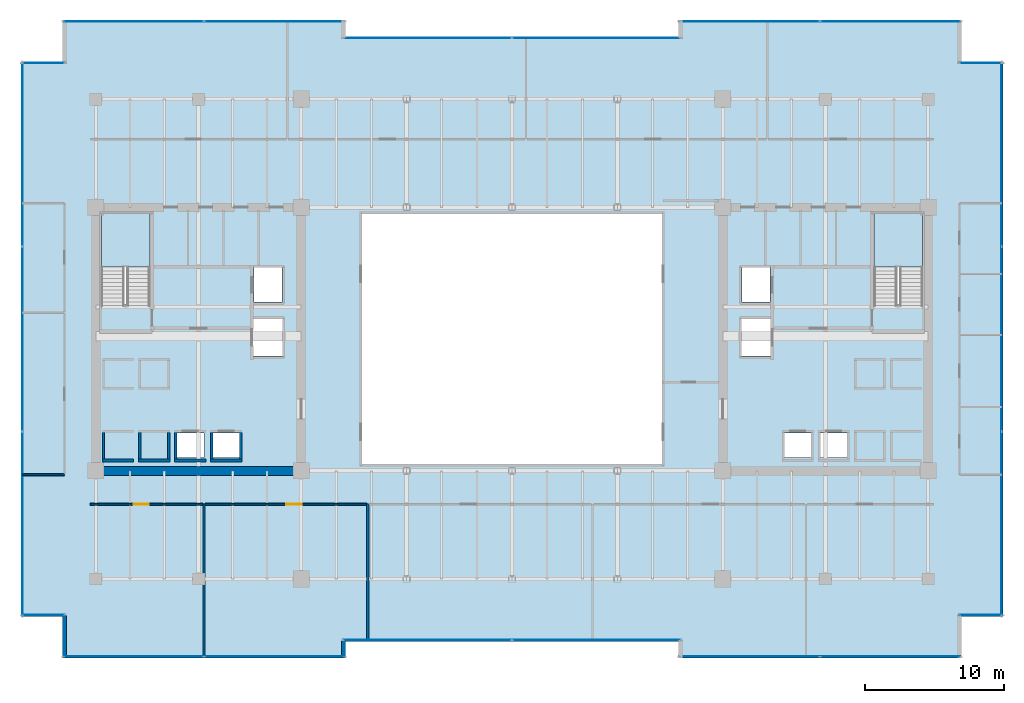
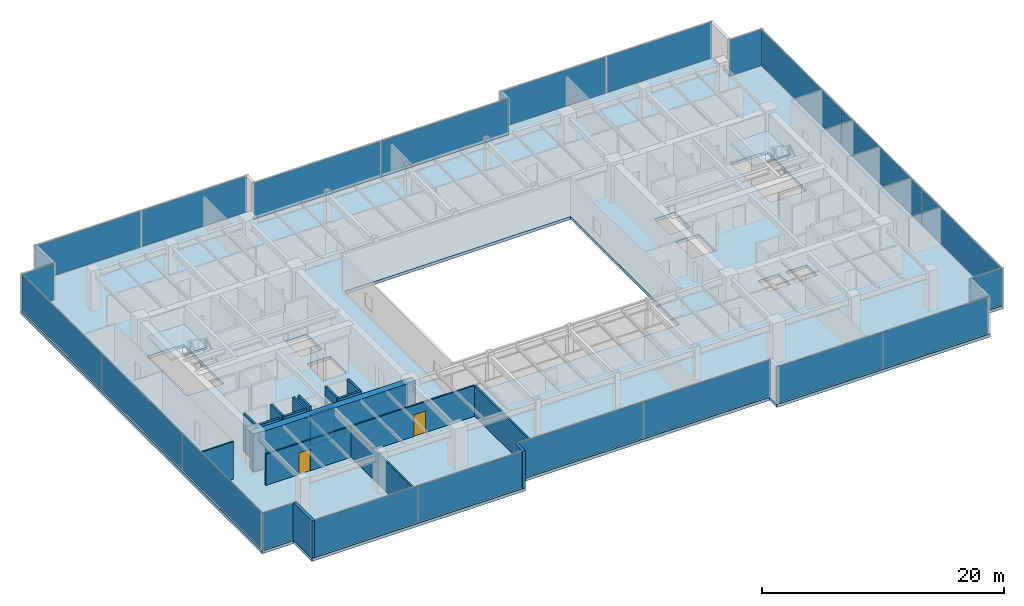
# One storey, part 24 of 30: 22 plates, 18 walls, 3 slabs, 2 doors, 2 openings, 14 elements without a shape of their own.
"""IFC4 building model written with IfcOpenShell, lengths in metres."""

from ifc_helpers import new_model, si_unit, direction, frame, frame_2d, origin, origin_2d, place, context, subcontext, project, spatial, polyline, rectangle, outline, extrude, source, transform, mapped, material, layer, layer_set, type_object, type_shapes, element, fill, aggregate, save


model = new_model("IFC4")

# Units and contexts
model_context = context("Model", 3, precision=1e-05, world=origin(), true_north=direction((0.0, 1.0)))
body_context = subcontext(model_context, "Body", "Model", "MODEL_VIEW")
ifc_project = project(units=[si_unit("LENGTHUNIT", "METRE"), si_unit("AREAUNIT", "SQUARE_METRE"), si_unit("VOLUMEUNIT", "CUBIC_METRE"), si_unit("PLANEANGLEUNIT", "RADIAN"), si_unit("MASSUNIT", "GRAM", prefix="KILO")], contexts=[model_context])

# Site, building, storey
site_placement = place(None, origin())
site = spatial("IfcSite", under=ifc_project, at=site_placement, CompositionType="ELEMENT")
building_placement = place(site_placement, origin())
building = spatial("IfcBuilding", under=site, at=building_placement, Name="Haelvirn Gate Laboratories", CompositionType="ELEMENT")
storey_placement = place(building_placement, frame((0.0, 0.0, 105.10009765625)))
storey = spatial("IfcBuildingStorey", under=building, at=storey_placement, Name="L25", CompositionType="ELEMENT", Elevation=105.10009765625)

# Stair, slab
ifc_material_1 = material(Name="Concrete C40/50", Category="concrete")
stair_type = type_object("IfcStairType", Name="ST-DOG-1650-R22", PredefinedType="HALF_TURN_STAIR", material=ifc_material_1)
stair_1_placement = place(storey_placement, origin())
stair_1 = element("IfcStair", 1, at=stair_1_placement, inside=storey, type_object=stair_type, Name="L25 Escape Stair ST1", PredefinedType="HALF_TURN_STAIR")
ifc_layer_1 = layer(ifc_material_1, 0.199951171875, Name="SL-STAIR-LND")
ifc_layer_set_1 = layer_set([ifc_layer_1], Name="Concrete C40/50")
slab_type_1 = type_object("IfcSlabType", Name="SL-STAIR-LND", PredefinedType="LANDING", material=ifc_layer_set_1)
slab_1_placement = place(storey_placement, frame((0.0, 0.0, 1.849853515625)))
slab_1 = element("IfcSlab", 2, at=slab_1_placement, type_object=slab_type_1, Name="ST1 landing 1", PredefinedType="LANDING", context=body_context, shape_type="SweptSolid", body=[
    extrude(outline(polyline([(11.300048828125, 29.5), (11.300048828125, 33.35009765625), (7.800048828125, 33.35009765625), (7.800048828125, 29.5), (11.300048828125, 29.5)])), origin(), (0.0, 0.0, 1.0), 0.199951171875),
])
aggregate(stair_1, [slab_1])

stair_2_placement = place(storey_placement, origin())
stair_2 = element("IfcStair", 3, at=stair_2_placement, inside=storey, type_object=stair_type, Name="L25 Escape Stair ST2", PredefinedType="HALF_TURN_STAIR")
slab_2_placement = place(storey_placement, frame((0.0, 0.0, 1.849853515625)))
slab_2 = element("IfcSlab", 4, at=slab_2_placement, type_object=slab_type_1, Name="ST2 landing 1", PredefinedType="LANDING", context=body_context, shape_type="SweptSolid", body=[
    extrude(outline(polyline([(67.0, 29.5), (67.0, 33.35009765625), (63.5, 33.35009765625), (63.5, 29.5), (67.0, 29.5)])), origin(), (0.0, 0.0, 1.0), 0.199951171875),
])
aggregate(stair_2, [slab_2])

# Slab
ifc_layer_2 = layer(ifc_material_1, 0.31005859375, Name="SL-Z2-310")
ifc_layer_set_2 = layer_set([ifc_layer_2], Name="Concrete C40/50")
slab_type_2 = type_object("IfcSlabType", Name="SL-Z2-310", PredefinedType="FLOOR", material=ifc_layer_set_2)
slab_3_placement = place(storey_placement, frame((0.0, 0.0, -0.31005859375)))
element("IfcSlab", 5, at=slab_3_placement, inside=storey, type_object=slab_type_2, Name="L25 Structural Slab MAIN", PredefinedType="FLOOR", context=body_context, shape_type="SweptSolid", body=[
    extrude(outline(polyline([(5.0, 1.300048828125), (25.39990234375, 1.300048828125), (25.39990234375, 2.5), (49.39990234375, 2.5), (49.39990234375, 1.300048828125), (69.800048828125, 1.300048828125), (69.800048828125, 4.300048828125), (72.800048828125, 4.300048828125), (72.800048828125, 44.300048828125), (69.800048828125, 44.300048828125), (69.800048828125, 47.300048828125), (49.39990234375, 47.300048828125), (49.39990234375, 46.10009765625), (25.39990234375, 46.10009765625), (25.39990234375, 47.300048828125), (5.0, 47.300048828125), (5.0, 44.300048828125), (2.0, 44.300048828125), (2.0, 4.300048828125), (5.0, 4.300048828125), (5.0, 1.300048828125)]), holes=[polyline([(26.60009765625, 15.300048828125), (48.199951171875, 15.300048828125), (48.199951171875, 33.300048828125), (26.60009765625, 33.300048828125), (26.60009765625, 15.300048828125)]), polyline([(11.300048828125, 26.780029296875), (11.300048828125, 33.35009765625), (7.800048828125, 33.35009765625), (7.800048828125, 26.780029296875), (11.300048828125, 26.780029296875)]), polyline([(67.0, 26.780029296875), (67.0, 33.35009765625), (63.5, 33.35009765625), (63.5, 26.780029296875), (67.0, 26.780029296875)]), polyline([(13.18994140625, 15.77001953125), (15.2099609375, 15.77001953125), (15.2099609375, 17.510009765625), (13.18994140625, 17.510009765625), (13.18994140625, 15.77001953125)]), polyline([(15.7900390625, 15.77001953125), (17.81005859375, 15.77001953125), (17.81005859375, 17.510009765625), (15.7900390625, 17.510009765625), (15.7900390625, 15.77001953125)]), polyline([(18.7900390625, 26.969970703125), (20.81005859375, 26.969970703125), (20.81005859375, 29.510009765625), (18.7900390625, 29.510009765625), (18.7900390625, 26.969970703125)]), polyline([(18.68994140625, 23.070068359375), (20.909912109375, 23.070068359375), (20.909912109375, 25.81005859375), (18.68994140625, 25.81005859375), (18.68994140625, 23.070068359375)]), polyline([(59.590087890625, 15.77001953125), (61.610107421875, 15.77001953125), (61.610107421875, 17.510009765625), (59.590087890625, 17.510009765625), (59.590087890625, 15.77001953125)]), polyline([(56.989990234375, 15.77001953125), (59.010009765625, 15.77001953125), (59.010009765625, 17.510009765625), (56.989990234375, 17.510009765625), (56.989990234375, 15.77001953125)]), polyline([(53.989990234375, 26.969970703125), (56.010009765625, 26.969970703125), (56.010009765625, 29.510009765625), (53.989990234375, 29.510009765625), (53.989990234375, 26.969970703125)]), polyline([(53.889892578125, 23.070068359375), (56.110107421875, 23.070068359375), (56.110107421875, 25.81005859375), (53.889892578125, 25.81005859375), (53.889892578125, 23.070068359375)])]), origin(), (0.0, 0.0, 1.0), 0.31005859375),
])

# Curtain wall, plates
ifc_material_2 = material(Name="Anodised bronze unitised aluminium & triple low-E glass", Category="aluminium")
ifc_layer_3 = layer(ifc_material_2, 0.179931640625, Name="CW-SYS-3")
ifc_layer_set_3 = layer_set([ifc_layer_3], Name="Anodised bronze unitised aluminium & triple low-E glass")
curtain_wall_type_1 = type_object("IfcCurtainWallType", Name="CW-SYS-3", PredefinedType="NOTDEFINED", material=ifc_layer_set_3)
curtain_wall_1_placement = place(storey_placement, origin())
curtain_wall_1 = element("IfcCurtainWall", 6, at=curtain_wall_1_placement, inside=storey, type_object=curtain_wall_type_1, Name="L25 Unitised Curtain Wall CW-L25-P0-E00-1", PredefinedType="NOTDEFINED")
ifc_material_3 = material(Name="High-selectivity bronze triple IGU 40 mm", Category="glass")
ifc_layer_4 = layer(ifc_material_3, 0.0400390625, Name="CWP-IGU-40")
ifc_layer_set_4 = layer_set([ifc_layer_4], Name="High-selectivity bronze triple IGU 40 mm")
plate_type_1 = type_object("IfcPlateType", Name="CWP-IGU-40", PredefinedType="CURTAIN_PANEL", material=ifc_layer_set_4)
shared_shape_1 = source(origin(), body_context, "Body", "SweptSolid", [
    extrude(rectangle(XDim=10.08740234375, YDim=0.0400390625, at=origin_2d()), origin(), (0.0, 0.0, 1.0), 3.659912109375),
])
plate_1_placement = place(storey_placement, frame((10.11865234375, 1.39990234375, 0.06494140625), z_axis=(0.0, 0.0, 1.0), x_axis=(1.0, 0.0, 0.0)))
plate_1 = element("IfcPlate", 7, at=plate_1_placement, type_object=plate_type_1, Name="CW3 panel 1.1", PredefinedType="CURTAIN_PANEL", context=body_context, shape_type="MappedRepresentation", body=[
    mapped(shared_shape_1, transform((0.0, 0.0, 0.0), scale=1.0)),
])
plate_2_placement = place(storey_placement, frame((20.28125, 1.39990234375, 0.06494140625), z_axis=(0.0, 0.0, 1.0), x_axis=(1.0, 0.0, 0.0)))
plate_2 = element("IfcPlate", 8, at=plate_2_placement, type_object=plate_type_1, Name="CW3 panel 2.1", PredefinedType="CURTAIN_PANEL", context=body_context, shape_type="MappedRepresentation", body=[
    mapped(shared_shape_1, transform((0.0, 0.0, 0.0), scale=1.0)),
])
aggregate(curtain_wall_1, [plate_1, plate_2])

curtain_wall_2_placement = place(storey_placement, origin())
curtain_wall_2 = element("IfcCurtainWall", 9, at=curtain_wall_2_placement, inside=storey, type_object=curtain_wall_type_1, Name="L25 Unitised Curtain Wall CW-L25-P0-E04-1", PredefinedType="NOTDEFINED")
plate_3_placement = place(storey_placement, frame((54.518798828125, 1.39990234375, 0.06494140625), z_axis=(0.0, 0.0, 1.0), x_axis=(1.0, 0.0, 0.0)))
plate_3 = element("IfcPlate", 10, at=plate_3_placement, type_object=plate_type_1, Name="CW3 panel 1.1", PredefinedType="CURTAIN_PANEL", context=body_context, shape_type="MappedRepresentation", body=[
    mapped(shared_shape_1, transform((0.0, 0.0, 0.0), scale=1.0)),
])
plate_4_placement = place(storey_placement, frame((64.68115234375, 1.39990234375, 0.06494140625), z_axis=(0.0, 0.0, 1.0), x_axis=(1.0, 0.0, 0.0)))
plate_4 = element("IfcPlate", 11, at=plate_4_placement, type_object=plate_type_1, Name="CW3 panel 2.1", PredefinedType="CURTAIN_PANEL", context=body_context, shape_type="MappedRepresentation", body=[
    mapped(shared_shape_1, transform((0.0, 0.0, 0.0), scale=1.0)),
])
aggregate(curtain_wall_2, [plate_3, plate_4])

curtain_wall_3_placement = place(storey_placement, origin())
curtain_wall_3 = element("IfcCurtainWall", 12, at=curtain_wall_3_placement, inside=storey, type_object=curtain_wall_type_1, Name="L25 Unitised Curtain Wall CW-L25-P0-E10-1", PredefinedType="NOTDEFINED")
plate_5_placement = place(storey_placement, frame((54.518798828125, 47.199951171875, 0.06494140625), z_axis=(0.0, 0.0, 1.0), x_axis=(1.0, 0.0, 0.0)))
plate_5 = element("IfcPlate", 13, at=plate_5_placement, type_object=plate_type_1, Name="CW3 panel 1.1", PredefinedType="CURTAIN_PANEL", context=body_context, shape_type="MappedRepresentation", body=[
    mapped(shared_shape_1, transform((0.0, 0.0, 0.0), scale=1.0)),
])
plate_6_placement = place(storey_placement, frame((64.68115234375, 47.199951171875, 0.06494140625), z_axis=(0.0, 0.0, 1.0), x_axis=(1.0, 0.0, 0.0)))
plate_6 = element("IfcPlate", 14, at=plate_6_placement, type_object=plate_type_1, Name="CW3 panel 2.1", PredefinedType="CURTAIN_PANEL", context=body_context, shape_type="MappedRepresentation", body=[
    mapped(shared_shape_1, transform((0.0, 0.0, 0.0), scale=1.0)),
])
aggregate(curtain_wall_3, [plate_5, plate_6])

curtain_wall_4_placement = place(storey_placement, origin())
curtain_wall_4 = element("IfcCurtainWall", 15, at=curtain_wall_4_placement, inside=storey, type_object=curtain_wall_type_1, Name="L25 Unitised Curtain Wall CW-L25-P0-E14-1", PredefinedType="NOTDEFINED")
plate_7_placement = place(storey_placement, frame((10.11865234375, 47.199951171875, 0.06494140625), z_axis=(0.0, 0.0, 1.0), x_axis=(1.0, 0.0, 0.0)))
plate_7 = element("IfcPlate", 16, at=plate_7_placement, type_object=plate_type_1, Name="CW3 panel 1.1", PredefinedType="CURTAIN_PANEL", context=body_context, shape_type="MappedRepresentation", body=[
    mapped(shared_shape_1, transform((0.0, 0.0, 0.0), scale=1.0)),
])
plate_8_placement = place(storey_placement, frame((20.28125, 47.199951171875, 0.06494140625), z_axis=(0.0, 0.0, 1.0), x_axis=(1.0, 0.0, 0.0)))
plate_8 = element("IfcPlate", 17, at=plate_8_placement, type_object=plate_type_1, Name="CW3 panel 2.1", PredefinedType="CURTAIN_PANEL", context=body_context, shape_type="MappedRepresentation", body=[
    mapped(shared_shape_1, transform((0.0, 0.0, 0.0), scale=1.0)),
])
aggregate(curtain_wall_4, [plate_7, plate_8])

curtain_wall_5_placement = place(storey_placement, origin())
curtain_wall_5 = element("IfcCurtainWall", 18, at=curtain_wall_5_placement, inside=storey, type_object=curtain_wall_type_1, Name="L25 Unitised Curtain Wall CW-L25-P0-E02-1", PredefinedType="NOTDEFINED")
shared_shape_2 = source(origin(), body_context, "Body", "SweptSolid", [
    extrude(rectangle(XDim=12.12744140625, YDim=0.0400390625, at=origin_2d()), origin(), (0.0, 0.0, 1.0), 3.659912109375),
])
plate_9_placement = place(storey_placement, frame((31.298828125, 2.60009765625, 0.06494140625), z_axis=(0.0, 0.0, 1.0), x_axis=(1.0, 0.0, 0.0)))
plate_9 = element("IfcPlate", 19, at=plate_9_placement, type_object=plate_type_1, Name="CW3 panel 1.1", PredefinedType="CURTAIN_PANEL", context=body_context, shape_type="MappedRepresentation", body=[
    mapped(shared_shape_2, transform((0.0, 0.0, 0.0), scale=1.0)),
])
plate_10_placement = place(storey_placement, frame((43.501220703125, 2.60009765625, 0.06494140625), z_axis=(0.0, 0.0, 1.0), x_axis=(1.0, 0.0, 0.0)))
plate_10 = element("IfcPlate", 20, at=plate_10_placement, type_object=plate_type_1, Name="CW3 panel 2.1", PredefinedType="CURTAIN_PANEL", context=body_context, shape_type="MappedRepresentation", body=[
    mapped(shared_shape_2, transform((0.0, 0.0, 0.0), scale=1.0)),
])
aggregate(curtain_wall_5, [plate_9, plate_10])

curtain_wall_6_placement = place(storey_placement, origin())
curtain_wall_6 = element("IfcCurtainWall", 21, at=curtain_wall_6_placement, inside=storey, type_object=curtain_wall_type_1, Name="L25 Unitised Curtain Wall CW-L25-P0-E12-1", PredefinedType="NOTDEFINED")
plate_11_placement = place(storey_placement, frame((31.298828125, 46.0, 0.06494140625), z_axis=(0.0, 0.0, 1.0), x_axis=(1.0, 0.0, 0.0)))
plate_11 = element("IfcPlate", 22, at=plate_11_placement, type_object=plate_type_1, Name="CW3 panel 1.1", PredefinedType="CURTAIN_PANEL", context=body_context, shape_type="MappedRepresentation", body=[
    mapped(shared_shape_2, transform((0.0, 0.0, 0.0), scale=1.0)),
])
plate_12_placement = place(storey_placement, frame((43.501220703125, 46.0, 0.06494140625), z_axis=(0.0, 0.0, 1.0), x_axis=(1.0, 0.0, 0.0)))
plate_12 = element("IfcPlate", 23, at=plate_12_placement, type_object=plate_type_1, Name="CW3 panel 2.1", PredefinedType="CURTAIN_PANEL", context=body_context, shape_type="MappedRepresentation", body=[
    mapped(shared_shape_2, transform((0.0, 0.0, 0.0), scale=1.0)),
])
aggregate(curtain_wall_6, [plate_11, plate_12])

# Curtain wall, plate
ifc_layer_5 = layer(ifc_material_2, 0.181884765625, Name="CW-SYS-5")
ifc_layer_set_5 = layer_set([ifc_layer_5], Name="Anodised bronze unitised aluminium & triple low-E glass")
curtain_wall_type_2 = type_object("IfcCurtainWallType", Name="CW-SYS-5", PredefinedType="NOTDEFINED", material=ifc_layer_set_5)
curtain_wall_7_placement = place(storey_placement, origin())
curtain_wall_7 = element("IfcCurtainWall", 24, at=curtain_wall_7_placement, inside=storey, type_object=curtain_wall_type_2, Name="L25 Unitised Curtain Wall CW-L25-P0-E06-1", PredefinedType="NOTDEFINED")
ifc_material_4 = material(Name="Clear low-iron notched-corner triple IGU 42 mm", Category="glass")
ifc_layer_6 = layer(ifc_material_4, 0.0419921875, Name="CWP-NTC-42")
ifc_layer_set_6 = layer_set([ifc_layer_6], Name="Clear low-iron notched-corner triple IGU 42 mm")
plate_type_2 = type_object("IfcPlateType", Name="CWP-NTC-42", PredefinedType="CURTAIN_PANEL", material=ifc_layer_set_6)
shared_shape_3 = source(origin(), body_context, "Body", "SweptSolid", [
    extrude(rectangle(XDim=3.080078125, YDim=0.0419921875, at=origin_2d()), origin(), (0.0, 0.0, 1.0), 3.659912109375),
])
type_shapes(plate_type_2, [shared_shape_3])
plate_13_placement = place(storey_placement, frame((71.179931640625, 4.39990234375, 0.06494140625), z_axis=(0.0, 0.0, 1.0), x_axis=(1.0, 0.0, 0.0)))
plate_13 = element("IfcPlate", 25, at=plate_13_placement, type_object=plate_type_2, Name="CW5 panel 1.1", PredefinedType="CURTAIN_PANEL", context=body_context, shape_type="MappedRepresentation", body=[
    mapped(shared_shape_3, transform((0.0, 0.0, 0.0), scale=1.0)),
])
aggregate(curtain_wall_7, [plate_13])

curtain_wall_8_placement = place(storey_placement, origin())
curtain_wall_8 = element("IfcCurtainWall", 26, at=curtain_wall_8_placement, inside=storey, type_object=curtain_wall_type_2, Name="L25 Unitised Curtain Wall CW-L25-P0-E08-1", PredefinedType="NOTDEFINED")
plate_14_placement = place(storey_placement, frame((71.179931640625, 44.199951171875, 0.06494140625), z_axis=(0.0, 0.0, 1.0), x_axis=(1.0, 0.0, 0.0)))
plate_14 = element("IfcPlate", 27, at=plate_14_placement, type_object=plate_type_2, Name="CW5 panel 1.1", PredefinedType="CURTAIN_PANEL", context=body_context, shape_type="MappedRepresentation", body=[
    mapped(shared_shape_3, transform((0.0, 0.0, 0.0), scale=1.0)),
])
aggregate(curtain_wall_8, [plate_14])

curtain_wall_9_placement = place(storey_placement, origin())
curtain_wall_9 = element("IfcCurtainWall", 28, at=curtain_wall_9_placement, inside=storey, type_object=curtain_wall_type_2, Name="L25 Unitised Curtain Wall CW-L25-P0-E16-1", PredefinedType="NOTDEFINED")
plate_15_placement = place(storey_placement, frame((3.6201171875, 44.199951171875, 0.06494140625), z_axis=(0.0, 0.0, 1.0), x_axis=(1.0, 0.0, 0.0)))
plate_15 = element("IfcPlate", 29, at=plate_15_placement, type_object=plate_type_2, Name="CW5 panel 1.1", PredefinedType="CURTAIN_PANEL", context=body_context, shape_type="MappedRepresentation", body=[
    mapped(shared_shape_3, transform((0.0, 0.0, 0.0), scale=1.0)),
])
aggregate(curtain_wall_9, [plate_15])

curtain_wall_10_placement = place(storey_placement, origin())
curtain_wall_10 = element("IfcCurtainWall", 30, at=curtain_wall_10_placement, inside=storey, type_object=curtain_wall_type_2, Name="L25 Unitised Curtain Wall CW-L25-P0-E18-1", PredefinedType="NOTDEFINED")
plate_16_placement = place(storey_placement, frame((3.6201171875, 4.39990234375, 0.06494140625), z_axis=(0.0, 0.0, 1.0), x_axis=(1.0, 0.0, 0.0)))
plate_16 = element("IfcPlate", 31, at=plate_16_placement, type_object=plate_type_2, Name="CW5 panel 1.1", PredefinedType="CURTAIN_PANEL", context=body_context, shape_type="MappedRepresentation", body=[
    mapped(shared_shape_3, transform((0.0, 0.0, 0.0), scale=1.0)),
])
aggregate(curtain_wall_10, [plate_16])

# Curtain wall, plates
curtain_wall_11_placement = place(storey_placement, origin())
curtain_wall_11 = element("IfcCurtainWall", 32, at=curtain_wall_11_placement, inside=storey, type_object=curtain_wall_type_1, Name="L25 Unitised Curtain Wall CW-L25-P0-E07", PredefinedType="NOTDEFINED")
shared_shape_4 = source(origin(), body_context, "Body", "SweptSolid", [
    extrude(rectangle(XDim=13.220947265625, YDim=0.0400390625, at=origin_2d()), origin(), (0.0, 0.0, 1.0), 3.659912109375),
])
plate_17_placement = place(storey_placement, frame((72.699951171875, 10.9853515625, 0.06494140625), z_axis=(0.0, 0.0, 1.0), x_axis=(0.0, 1.0, 0.0)))
plate_17 = element("IfcPlate", 33, at=plate_17_placement, type_object=plate_type_1, Name="CW3 panel 1.1", PredefinedType="CURTAIN_PANEL", context=body_context, shape_type="MappedRepresentation", body=[
    mapped(shared_shape_4, transform((0.0, 0.0, 0.0), scale=1.0)),
])
plate_18_placement = place(storey_placement, frame((72.699951171875, 37.614501953125, 0.06494140625), z_axis=(0.0, 0.0, 1.0), x_axis=(0.0, 1.0, 0.0)))
plate_18 = element("IfcPlate", 34, at=plate_18_placement, type_object=plate_type_1, Name="CW3 panel 3.1", PredefinedType="CURTAIN_PANEL", context=body_context, shape_type="MappedRepresentation", body=[
    mapped(shared_shape_4, transform((0.0, 0.0, 0.0), scale=1.0)),
])

curtain_wall_12_placement = place(storey_placement, origin())
curtain_wall_12 = element("IfcCurtainWall", 35, at=curtain_wall_12_placement, inside=storey, type_object=curtain_wall_type_1, Name="L25 Unitised Curtain Wall CW-L25-P0-E17", PredefinedType="NOTDEFINED")
plate_19_placement = place(storey_placement, frame((2.10009765625, 37.614501953125, 0.06494140625), z_axis=(0.0, 0.0, 1.0), x_axis=(0.0, -1.0, 0.0)))
plate_19 = element("IfcPlate", 36, at=plate_19_placement, type_object=plate_type_1, Name="CW3 panel 1.1", PredefinedType="CURTAIN_PANEL", context=body_context, shape_type="MappedRepresentation", body=[
    mapped(shared_shape_4, transform((0.0, 0.0, 0.0), scale=1.0)),
])
plate_20_placement = place(storey_placement, frame((2.10009765625, 10.9853515625, 0.06494140625), z_axis=(0.0, 0.0, 1.0), x_axis=(0.0, -1.0, 0.0)))
plate_20 = element("IfcPlate", 37, at=plate_20_placement, type_object=plate_type_1, Name="CW3 panel 3.1", PredefinedType="CURTAIN_PANEL", context=body_context, shape_type="MappedRepresentation", body=[
    mapped(shared_shape_4, transform((0.0, 0.0, 0.0), scale=1.0)),
])

# Plate
shared_shape_5 = source(origin(), body_context, "Body", "SweptSolid", [
    extrude(rectangle(XDim=13.25830078125, YDim=0.0400390625, at=origin_2d()), origin(), (0.0, 0.0, 1.0), 3.659912109375),
])
type_shapes(plate_type_1, [shared_shape_1, shared_shape_2, shared_shape_4, shared_shape_5])
plate_21_placement = place(storey_placement, frame((72.699951171875, 24.300048828125, 0.06494140625), z_axis=(0.0, 0.0, 1.0), x_axis=(0.0, 1.0, 0.0)))
plate_21 = element("IfcPlate", 38, at=plate_21_placement, type_object=plate_type_1, Name="CW3 panel 2.1", PredefinedType="CURTAIN_PANEL", context=body_context, shape_type="MappedRepresentation", body=[
    mapped(shared_shape_5, transform((0.0, 0.0, 0.0), scale=1.0)),
])

aggregate(curtain_wall_11, [plate_17, plate_21, plate_18])

plate_22_placement = place(storey_placement, frame((2.10009765625, 24.300048828125, 0.06494140625), z_axis=(0.0, 0.0, 1.0), x_axis=(0.0, -1.0, 0.0)))
plate_22 = element("IfcPlate", 39, at=plate_22_placement, type_object=plate_type_1, Name="CW3 panel 2.1", PredefinedType="CURTAIN_PANEL", context=body_context, shape_type="MappedRepresentation", body=[
    mapped(shared_shape_5, transform((0.0, 0.0, 0.0), scale=1.0)),
])

aggregate(curtain_wall_12, [plate_19, plate_22, plate_20])

# Walls
ifc_material_5 = material(Name="Thermally-broken bronze aluminium rainscreen & mineral wool", Category="aluminium")
ifc_layer_7 = layer(ifc_material_5, 0.280029296875, Name="EW-TERR-280")
ifc_layer_set_7 = layer_set([ifc_layer_7], Name="Thermally-broken bronze aluminium rainscreen & mineral wool")
wall_type_1 = type_object("IfcWallType", Name="EW-TERR-280", PredefinedType="STANDARD", material=ifc_layer_set_7)
wall_1_placement = place(storey_placement, frame((25.260009765625, 1.300048828125, 0.0), z_axis=(0.0, 0.0, 1.0), x_axis=(0.0, 1.0, 0.0)))
element("IfcWall", 40, at=wall_1_placement, inside=storey, type_object=wall_type_1, Name="L25 Atrium Recess Bronze Return Wall 01", PredefinedType="STANDARD", context=body_context, shape_type="SweptSolid", body=[
    extrude(rectangle(XDim=1.287841796875, YDim=0.280029296875, at=frame_2d((0.64404296875, 0.0))), origin(), (0.0, 0.0, 1.0), 3.789794921875),
])
wall_2_placement = place(storey_placement, frame((5.139892578125, 4.387939453125, 0.0), z_axis=(0.0, 0.0, 1.0), x_axis=(0.0, -1.0, 0.0)))
element("IfcWall", 41, at=wall_2_placement, inside=storey, type_object=wall_type_1, Name="L25 Atrium Recess Bronze Return Wall 19", PredefinedType="STANDARD", context=body_context, shape_type="SweptSolid", body=[
    extrude(rectangle(XDim=3.087890625, YDim=0.280029296875, at=frame_2d((1.5439453125, 0.0))), origin(), (0.0, 0.0, 1.0), 3.789794921875),
])
ifc_material_6 = material(Name="Double-layer acoustic gypsum laboratory partition", Category="gypsum")
ifc_layer_8 = layer(ifc_material_6, 0.159912109375, Name="IW-ACOUST-160")
ifc_layer_set_8 = layer_set([ifc_layer_8], Name="Double-layer acoustic gypsum laboratory partition")
wall_type_2 = type_object("IfcWallType", Name="IW-ACOUST-160", PredefinedType="PARTITIONING", material=ifc_layer_set_8)
wall_3_placement = place(storey_placement, frame((15.199951171875, 1.409912109375, 0.0), z_axis=(0.0, 0.0, 1.0), x_axis=(0.0, 1.0, 0.0)))
element("IfcWall", 42, at=wall_3_placement, inside=storey, type_object=wall_type_2, Name="L25 Interior Wall IW-L25-SDIV-01", PredefinedType="PARTITIONING", context=body_context, shape_type="SweptSolid", body=[
    extrude(rectangle(XDim=10.97998046875, YDim=0.159912109375, at=frame_2d((5.489990234375, 0.0))), origin(), (0.0, 0.0, 1.0), 3.074951171875),
])
wall_4_placement = place(storey_placement, frame((27.0, 2.610107421875, 0.0), z_axis=(0.0, 0.0, 1.0), x_axis=(0.0, 1.0, 0.0)))
element("IfcWall", 43, at=wall_4_placement, inside=storey, type_object=wall_type_2, Name="L25 Interior Wall IW-L25-SDIV-02", PredefinedType="PARTITIONING", context=body_context, shape_type="SweptSolid", body=[
    extrude(rectangle(XDim=9.77978515625, YDim=0.159912109375, at=frame_2d((4.889892578125, 0.0))), origin(), (0.0, 0.0, 1.0), 3.074951171875),
])
ifc_material_7 = material(Name="Lightweight acoustic gypsum board partition", Category="gypsum")
ifc_layer_9 = layer(ifc_material_7, 0.1201171875, Name="IW-PART-120")
ifc_layer_set_9 = layer_set([ifc_layer_9], Name="Lightweight acoustic gypsum board partition")
wall_type_3 = type_object("IfcWallType", Name="IW-PART-120", PredefinedType="PARTITIONING", material=ifc_layer_set_9)
wall_5_placement = place(storey_placement, frame((2.110107421875, 14.514892578125, 0.0), z_axis=(0.0, 0.0, 1.0), x_axis=(1.0, 0.0, 0.0)))
element("IfcWall", 44, at=wall_5_placement, inside=storey, type_object=wall_type_3, Name="L25 Interior Wall IW-L25-WCAP-S", PredefinedType="PARTITIONING", context=body_context, shape_type="SweptSolid", body=[
    extrude(rectangle(XDim=3.019775390625, YDim=0.1201171875, at=frame_2d((1.509765625, 0.0))), origin(), (0.0, 0.0, 1.0), 3.789794921875),
])

# Wall, opening, door
ifc_material_8 = material(Name="Acoustic mineral-wool gypsum board partition", Category="gypsum")
ifc_layer_10 = layer(ifc_material_8, 0.139892578125, Name="IW-PART-140")
ifc_layer_set_10 = layer_set([ifc_layer_10], Name="Acoustic mineral-wool gypsum board partition")
wall_type_4 = type_object("IfcWallType", Name="IW-PART-140", PredefinedType="PARTITIONING", material=ifc_layer_set_10)
wall_6_placement = place(storey_placement, frame((6.97998046875, 12.389892578125, 0.0), z_axis=(0.0, 0.0, 1.0), x_axis=(1.0, 0.0, 0.0)))
wall_6 = element("IfcWall", 45, at=wall_6_placement, inside=storey, type_object=wall_type_4, Name="L25 Interior Wall IW-L25-SCORR-01", PredefinedType="PARTITIONING", context=body_context, shape_type="SweptSolid", body=[
    extrude(rectangle(XDim=8.14013671875, YDim=0.139892578125, at=frame_2d((4.070068359375, 0.0))), origin(), (0.0, 0.0, 1.0), 3.125),
])
opening_1_placement = place(wall_6_placement, frame((3.1396484375, 0.0, 0.0)))
opening_1 = element("IfcOpeningElement", 46, at=opening_1_placement, cuts=wall_6, Name="Opening D1", PredefinedType="OPENING", context=body_context, shape_type="SweptSolid", body=[
    extrude(rectangle(XDim=1.10009765625, YDim=2.179931640625, at=frame_2d((0.550048828125, 1.08984375))), frame((0.0, 0.080078125, 0.0), z_axis=(0.0, -1.0, 0.0), x_axis=(1.0, 0.0, 0.0)), (0.0, 0.0, 1.0), 0.159912109375),
])
ifc_material_9 = material(Name="Vision-panel acoustic solid-core timber lab door", Category="wood")
door_type = type_object("IfcDoorType", Name="DR-LAB-1100", OperationType="NOTDEFINED", PredefinedType="DOOR", material=ifc_material_9)
shared_shape_6 = source(origin(), body_context, "Body", "SweptSolid", [
    extrude(rectangle(XDim=1.10009765625, YDim=2.179931640625, at=frame_2d((0.550048828125, 1.08984375))), frame((0.0, 0.02490234375, 0.0), z_axis=(0.0, -1.0, 0.0), x_axis=(1.0, 0.0, 0.0)), (0.0, 0.0, 1.0), 0.050048828125),
])
type_shapes(door_type, [shared_shape_6])
door_1_placement = place(opening_1_placement, origin())
door_1 = element("IfcDoor", 47, at=door_1_placement, inside=storey, type_object=door_type, Name="L25 Analytical Instrument Suite Door S1", OperationType="SINGLE_SWING_RIGHT", OverallHeight=2.179931640625, OverallWidth=1.10009765625, PredefinedType="DOOR", context=body_context, shape_type="MappedRepresentation", body=[
    mapped(shared_shape_6, transform((0.0, 0.0, 0.0), scale=1.0)),
])
fill(opening_1, door_1)

wall_7_placement = place(storey_placement, frame((15.280029296875, 12.389892578125, 0.0), z_axis=(0.0, 0.0, 1.0), x_axis=(1.0, 0.0, 0.0)))
wall_7 = element("IfcWall", 48, at=wall_7_placement, inside=storey, type_object=wall_type_4, Name="L25 Interior Wall IW-L25-SCORR-02", PredefinedType="PARTITIONING", context=body_context, shape_type="SweptSolid", body=[
    extrude(rectangle(XDim=11.639892578125, YDim=0.139892578125, at=frame_2d((5.81982421875, 0.0))), origin(), (0.0, 0.0, 1.0), 3.125),
])
opening_2_placement = place(wall_7_placement, frame((5.8603515625, 0.0, 0.0)))
opening_2 = element("IfcOpeningElement", 49, at=opening_2_placement, cuts=wall_7, Name="Opening D1", PredefinedType="OPENING", context=body_context, shape_type="SweptSolid", body=[
    extrude(rectangle(XDim=1.10009765625, YDim=2.179931640625, at=frame_2d((0.550048828125, 1.08984375))), frame((0.0, 0.080078125, 0.0), z_axis=(0.0, -1.0, 0.0), x_axis=(1.0, 0.0, 0.0)), (0.0, 0.0, 1.0), 0.159912109375),
])
door_2_placement = place(opening_2_placement, origin())
door_2 = element("IfcDoor", 50, at=door_2_placement, inside=storey, type_object=door_type, Name="L25 Cleanroom Metrology Suite Door S2", OperationType="SINGLE_SWING_LEFT", OverallHeight=2.179931640625, OverallWidth=1.10009765625, PredefinedType="DOOR", context=body_context, shape_type="MappedRepresentation", body=[
    mapped(shared_shape_6, transform((0.0, 0.0, 0.0), scale=1.0)),
])
fill(opening_2, door_2)

# Walls
ifc_layer_11 = layer(ifc_material_1, 0.179931640625, Name="IW-SHAFT-180")
ifc_layer_set_11 = layer_set([ifc_layer_11], Name="Concrete C40/50")
wall_type_5 = type_object("IfcWallType", Name="IW-SHAFT-180", PredefinedType="SOLIDWALL", material=ifc_layer_set_11)
for number, where, z_axis, x_axis, name in (
    (51, (7.949951171875, 15.64990234375, 0.0), (0.0, 0.0, 1.0), (0.0, 1.0, 0.0), "L25 Interior Wall IW-L25-PL1-SD"),
    (52, (10.550048828125, 15.64990234375, 0.0), (0.0, 0.0, 1.0), (0.0, 1.0, 0.0), "L25 Interior Wall IW-L25-PL2-SD"),
    (53, (12.64990234375, 15.64990234375, 0.0), (0.0, 0.0, 1.0), (0.0, 1.0, 0.0), "L25 Interior Wall IW-L25-PL2-SDE"),
    (54, (13.14990234375, 15.64990234375, 0.0), (0.0, 0.0, 1.0), (0.0, 1.0, 0.0), "L25 Interior Wall IW-L25-PL5-SD"),
    (55, (15.75, 15.64990234375, 0.0), (0.0, 0.0, 1.0), (0.0, 1.0, 0.0), "L25 Interior Wall IW-L25-PL6-SD"),
    (56, (17.85009765625, 15.64990234375, 0.0), (0.0, 0.0, 1.0), (0.0, 1.0, 0.0), "L25 Interior Wall IW-L25-PL6-SDE"),
):
    element("IfcWall", number, at=place(storey_placement, frame(where, z_axis=z_axis, x_axis=x_axis)), inside=storey, type_object=wall_type_5, Name=name, PredefinedType="SOLIDWALL", context=body_context, shape_type="SweptSolid", body=[
        extrude(rectangle(XDim=1.900146484375, YDim=0.179931640625, at=frame_2d((0.9501953125, 0.0))), origin(), (0.0, 0.0, 1.0), 3.789794921875),
    ])
ifc_layer_12 = layer(ifc_material_1, 0.199951171875, Name="IW-SHAFT-200")
ifc_layer_set_12 = layer_set([ifc_layer_12], Name="Concrete C40/50")
wall_type_6 = type_object("IfcWallType", Name="IW-SHAFT-200", PredefinedType="SOLIDWALL", material=ifc_layer_set_12)
wall_8_placement = place(storey_placement, frame((7.8701171875, 15.550048828125, 0.0), z_axis=(0.0, 0.0, 1.0), x_axis=(1.0, 0.0, 0.0)))
element("IfcWall", 57, at=wall_8_placement, inside=storey, type_object=wall_type_6, Name="L25 Interior Wall IW-L25-PL1-BK", PredefinedType="SOLIDWALL", context=body_context, shape_type="SweptSolid", body=[
    extrude(rectangle(XDim=2.259765625, YDim=0.199951171875, at=frame_2d((1.1298828125, 0.0))), origin(), (0.0, 0.0, 1.0), 3.789794921875),
])
wall_9_placement = place(storey_placement, frame((10.469970703125, 15.550048828125, 0.0), z_axis=(0.0, 0.0, 1.0), x_axis=(1.0, 0.0, 0.0)))
element("IfcWall", 58, at=wall_9_placement, inside=storey, type_object=wall_type_6, Name="L25 Interior Wall IW-L25-PL2-BK", PredefinedType="SOLIDWALL", context=body_context, shape_type="SweptSolid", body=[
    extrude(rectangle(XDim=2.260009765625, YDim=0.199951171875, at=frame_2d((1.1298828125, 0.0))), origin(), (0.0, 0.0, 1.0), 3.789794921875),
])
wall_10_placement = place(storey_placement, frame((13.070068359375, 15.550048828125, 0.0), z_axis=(0.0, 0.0, 1.0), x_axis=(1.0, 0.0, 0.0)))
element("IfcWall", 59, at=wall_10_placement, inside=storey, type_object=wall_type_6, Name="L25 Interior Wall IW-L25-PL5-BK", PredefinedType="SOLIDWALL", context=body_context, shape_type="SweptSolid", body=[
    extrude(rectangle(XDim=2.260009765625, YDim=0.199951171875, at=frame_2d((1.1298828125, 0.0))), origin(), (0.0, 0.0, 1.0), 3.125),
])
wall_11_placement = place(storey_placement, frame((15.669921875, 15.550048828125, 0.0), z_axis=(0.0, 0.0, 1.0), x_axis=(1.0, 0.0, 0.0)))
element("IfcWall", 60, at=wall_11_placement, inside=storey, type_object=wall_type_6, Name="L25 Interior Wall IW-L25-PL6-BK", PredefinedType="SOLIDWALL", context=body_context, shape_type="SweptSolid", body=[
    extrude(rectangle(XDim=2.260009765625, YDim=0.199951171875, at=frame_2d((1.1298828125, 0.0))), origin(), (0.0, 0.0, 1.0), 3.789794921875),
])
ifc_material_10 = material(Name="Concrete C60/75", Category="concrete")
ifc_layer_13 = layer(ifc_material_10, 0.64990234375, Name="SW-CORE-650")
ifc_layer_set_13 = layer_set([ifc_layer_13], Name="Concrete C60/75")
wall_type_7 = type_object("IfcWallType", Name="SW-CORE-650", PredefinedType="SHEAR", material=ifc_layer_set_13)
wall_12_placement = place(storey_placement, frame((7.074951171875, 14.800048828125, 0.0), z_axis=(0.0, 0.0, 1.0), x_axis=(1.0, 0.0, 0.0)))
element("IfcWall", 61, at=wall_12_placement, inside=storey, type_object=wall_type_7, Name="L25 W Core Shear Wall S", PredefinedType="SHEAR", context=body_context, shape_type="SweptSolid", body=[
    extrude(rectangle(XDim=15.449951171875, YDim=0.64990234375, at=frame_2d((7.72509765625, 0.0))), origin(), (0.0, 0.0, 1.0), 3.789794921875),
])

save(model, "model.ifc")
